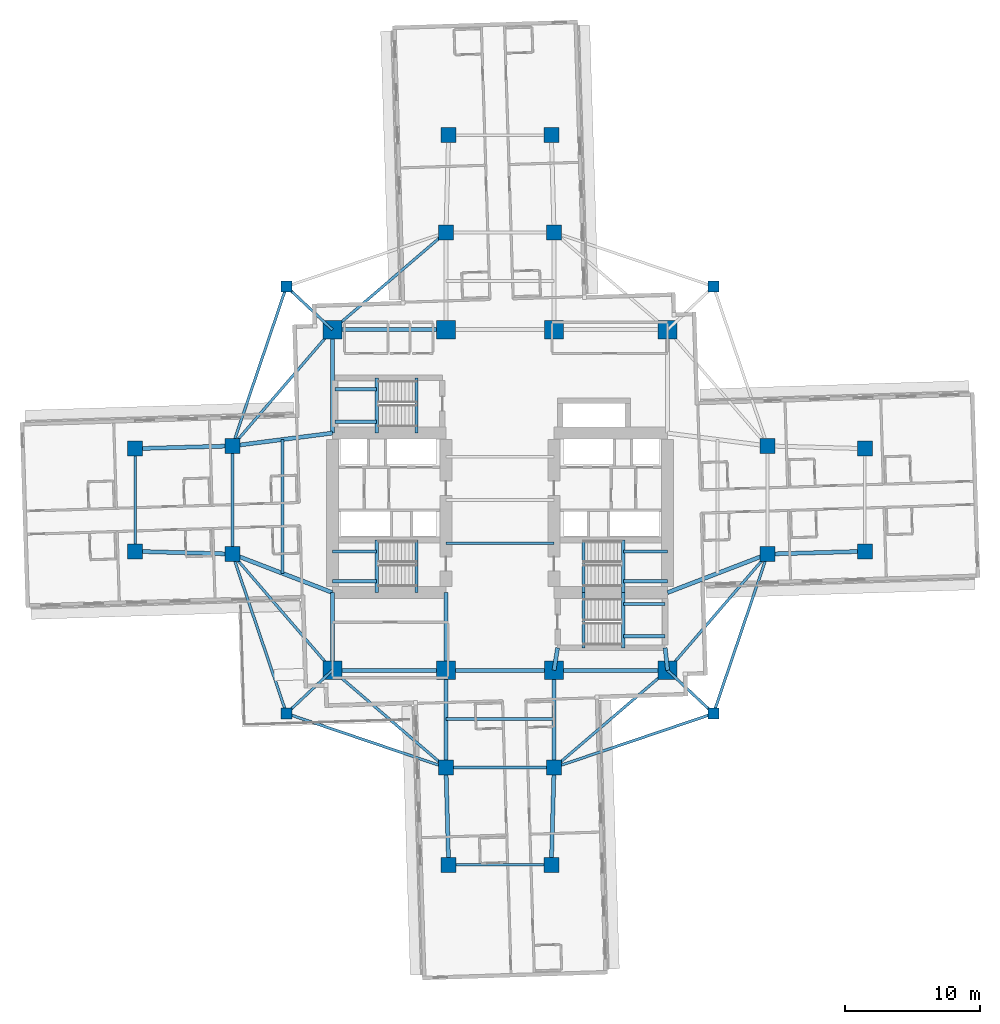
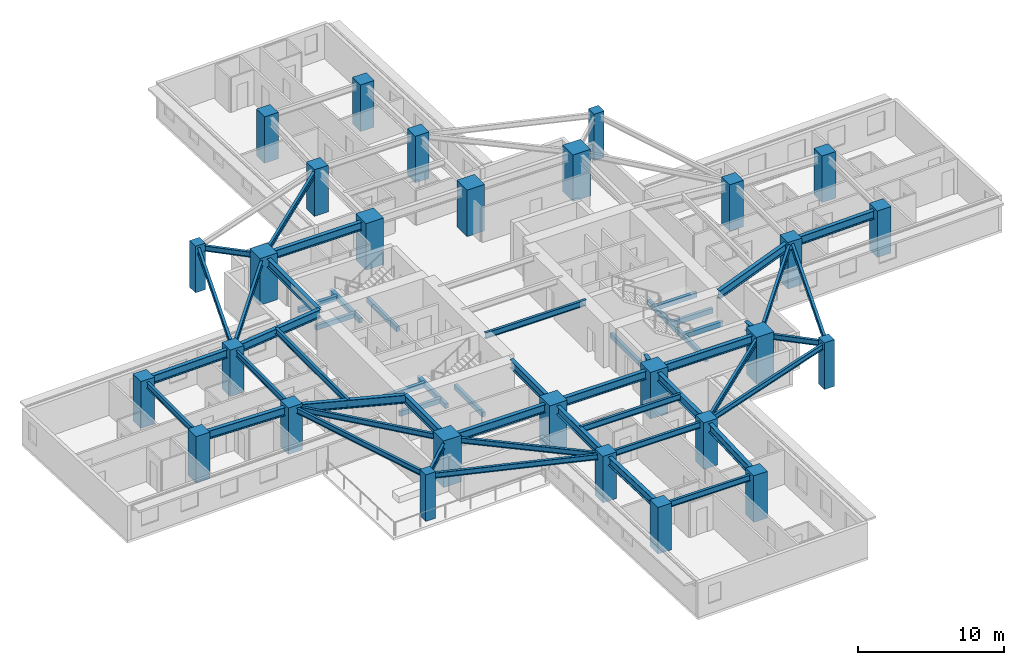
# One storey, part 1 of 14: 56 beams, 28 columns.
"""IFC4 building model written with IfcOpenShell, lengths in metres."""

from ifc_helpers import new_model, si_unit, direction, frame, origin, origin_2d, place, context, subcontext, project, spatial, rectangle, i_section, extrude, material, material_profile, profile_set, type_object, element, save


model = new_model("IFC4")

# Units and contexts
model_context = context("Model", 3, precision=1e-05, world=origin(), true_north=direction((0.0, 1.0)))
body_context = subcontext(model_context, "Body", "Model", "MODEL_VIEW")
ifc_project = project(units=[si_unit("LENGTHUNIT", "METRE"), si_unit("AREAUNIT", "SQUARE_METRE"), si_unit("VOLUMEUNIT", "CUBIC_METRE"), si_unit("PLANEANGLEUNIT", "RADIAN"), si_unit("MASSUNIT", "GRAM", prefix="KILO")], contexts=[model_context])

# Site, building, storey
site_placement = place(None, origin())
site = spatial("IfcSite", under=ifc_project, at=site_placement, CompositionType="ELEMENT")
building_placement = place(site_placement, origin())
building = spatial("IfcBuilding", under=site, at=building_placement, Name="Qingluan Cross Belvedere", CompositionType="ELEMENT")
storey_placement = place(building_placement, frame((0.0, 0.0, 56.10009765625)))
storey = spatial("IfcBuildingStorey", under=building, at=storey_placement, Name="L14", CompositionType="ELEMENT", Elevation=56.10009765625)

# Columns
ifc_material_1 = material(Name="Concrete C60", Category="concrete")
ifc_material_profile_1 = material_profile(ifc_material_1, rectangle(XDim=1.10009765625, YDim=1.10009765625, at=origin_2d()), Name="RC1100x1100")
ifc_profile_set_1 = profile_set([ifc_material_profile_1], Name="Concrete C60")
column_type_1 = type_object("IfcColumnType", Name="Column_RC1100x1100", PredefinedType="COLUMN", material=ifc_profile_set_1)
for number, where, z_axis, x_axis, name in (
    (1, (19.800048828125, -4.0, 0.0), (0.0, 0.0, 1.0), (1.0, 0.0, 0.0), "Arm column L14-EIA"),
    (2, (19.800048828125, 4.0, 0.0), (0.0, 0.0, 1.0), (1.0, 0.0, 0.0), "Arm column L14-EIB"),
    (3, (-19.800048828125, -4.0, 0.0), (0.0, 0.0, 1.0), (1.0, 0.0, 0.0), "Arm column L14-WIA"),
    (4, (-19.800048828125, 4.0, 0.0), (0.0, 0.0, 1.0), (1.0, 0.0, 0.0), "Arm column L14-WIB"),
    (5, (-4.0, -19.800048828125, 0.0), (0.0, 0.0, 1.0), (1.0, 0.0, 0.0), "Arm column L14-SIA"),
    (6, (4.0, -19.800048828125, 0.0), (0.0, 0.0, 1.0), (1.0, 0.0, 0.0), "Arm column L14-SIB"),
    (7, (-4.0, 19.800048828125, 0.0), (0.0, 0.0, 1.0), (1.0, 0.0, 0.0), "Arm column L14-NIA"),
    (8, (4.0, 19.800048828125, 0.0), (0.0, 0.0, 1.0), (1.0, 0.0, 0.0), "Arm column L14-NIB"),
    (9, (27.0, -3.800048828125, 0.0), (0.0, 0.0, 1.0), (1.0, 0.0, 0.0), "Arm column L14-EOA"),
    (10, (27.0, 3.800048828125, 0.0), (0.0, 0.0, 1.0), (1.0, 0.0, 0.0), "Arm column L14-EOB"),
    (11, (-27.0, -3.800048828125, 0.0), (0.0, 0.0, 1.0), (1.0, 0.0, 0.0), "Arm column L14-WOA"),
    (12, (-27.0, 3.800048828125, 0.0), (0.0, 0.0, 1.0), (1.0, 0.0, 0.0), "Arm column L14-WOB"),
    (13, (-3.800048828125, -27.0, 0.0), (0.0, 0.0, 1.0), (1.0, 0.0, 0.0), "Arm column L14-SOA"),
    (14, (3.800048828125, -27.0, 0.0), (0.0, 0.0, 1.0), (1.0, 0.0, 0.0), "Arm column L14-SOB"),
    (15, (-3.800048828125, 27.0, 0.0), (0.0, 0.0, 1.0), (1.0, 0.0, 0.0), "Arm column L14-NOA"),
    (16, (3.800048828125, 27.0, 0.0), (0.0, 0.0, 1.0), (1.0, 0.0, 0.0), "Arm column L14-NOB"),
):
    element("IfcColumn", number, at=place(storey_placement, frame(where, z_axis=z_axis, x_axis=x_axis)), inside=storey, type_object=column_type_1, Name=name, PredefinedType="COLUMN", context=body_context, shape_type="SweptSolid", body=[
        extrude(rectangle(XDim=1.10009765625, YDim=1.10009765625, at=origin_2d()), origin(), (0.0, 0.0, 1.0), 3.89990234375),
    ])
ifc_material_2 = material(Name="Concrete C70", Category="concrete")
ifc_material_profile_2 = material_profile(ifc_material_2, rectangle(XDim=1.39990234375, YDim=1.39990234375, at=origin_2d()), Name="RC1400x1400")
ifc_profile_set_2 = profile_set([ifc_material_profile_2], Name="Concrete C70")
column_type_2 = type_object("IfcColumnType", Name="Column_RC1400x1400", PredefinedType="COLUMN", material=ifc_profile_set_2)
for number, where, z_axis, x_axis, name in (
    (17, (-12.39990234375, -12.60009765625, 0.0), (0.0, 0.0, 1.0), (1.0, 0.0, 0.0), "Hub column L14-HC1"),
    (18, (12.39990234375, -12.60009765625, 0.0), (0.0, 0.0, 1.0), (1.0, 0.0, 0.0), "Hub column L14-HC2"),
    (19, (12.39990234375, 12.60009765625, 0.0), (0.0, 0.0, 1.0), (1.0, 0.0, 0.0), "Hub column L14-HC3"),
    (20, (-12.39990234375, 12.60009765625, 0.0), (0.0, 0.0, 1.0), (1.0, 0.0, 0.0), "Hub column L14-HC4"),
    (21, (-4.0, -12.60009765625, 0.0), (0.0, 0.0, 1.0), (1.0, 0.0, 0.0), "Hub column L14-HC5"),
    (22, (4.0, -12.60009765625, 0.0), (0.0, 0.0, 1.0), (1.0, 0.0, 0.0), "Hub column L14-HC6"),
    (23, (4.0, 12.60009765625, 0.0), (0.0, 0.0, 1.0), (1.0, 0.0, 0.0), "Hub column L14-HC7"),
    (24, (-4.0, 12.60009765625, 0.0), (0.0, 0.0, 1.0), (1.0, 0.0, 0.0), "Hub column L14-HC8"),
):
    element("IfcColumn", number, at=place(storey_placement, frame(where, z_axis=z_axis, x_axis=x_axis)), inside=storey, type_object=column_type_2, Name=name, PredefinedType="COLUMN", context=body_context, shape_type="SweptSolid", body=[
        extrude(rectangle(XDim=1.39990234375, YDim=1.39990234375, at=origin_2d()), origin(), (0.0, 0.0, 1.0), 3.89990234375),
    ])
ifc_material_3 = material(Name="Concrete C50", Category="concrete")
ifc_material_profile_3 = material_profile(ifc_material_3, rectangle(XDim=0.800048828125, YDim=0.800048828125, at=origin_2d()), Name="RC800x800")
ifc_profile_set_3 = profile_set([ifc_material_profile_3], Name="Concrete C50")
column_type_3 = type_object("IfcColumnType", Name="Column_RC800x800", PredefinedType="COLUMN", material=ifc_profile_set_3)
for number, where, z_axis, x_axis, name in (
    (25, (15.800048828125, 15.800048828125, 0.0), (0.0, 0.0, 1.0), (1.0, 0.0, 0.0), "Corner column L14-RNE"),
    (26, (-15.800048828125, 15.800048828125, 0.0), (0.0, 0.0, 1.0), (1.0, 0.0, 0.0), "Corner column L14-RNW"),
    (27, (-15.800048828125, -15.800048828125, 0.0), (0.0, 0.0, 1.0), (1.0, 0.0, 0.0), "Corner column L14-RSW"),
    (28, (15.800048828125, -15.800048828125, 0.0), (0.0, 0.0, 1.0), (1.0, 0.0, 0.0), "Corner column L14-RSE"),
):
    element("IfcColumn", number, at=place(storey_placement, frame(where, z_axis=z_axis, x_axis=x_axis)), inside=storey, type_object=column_type_3, Name=name, PredefinedType="COLUMN", context=body_context, shape_type="SweptSolid", body=[
        extrude(rectangle(XDim=0.800048828125, YDim=0.800048828125, at=origin_2d()), origin(), (0.0, 0.0, 1.0), 3.89990234375),
    ])

# Beams
ifc_material_4 = material(Name="Concrete C45", Category="concrete")
ifc_material_profile_4 = material_profile(ifc_material_4, rectangle(XDim=0.25, YDim=0.39990234375, at=origin_2d()), Name="RC250x400")
ifc_profile_set_4 = profile_set([ifc_material_profile_4], Name="Concrete C45")
beam_type_1 = type_object("IfcBeamType", Name="RC_Lintel_RC250x400", PredefinedType="LINTEL", material=ifc_profile_set_4)
for number, where, z_axis, x_axis, name in (
    (29, (-6.179931640625, -6.85009765625, -0.2001953125), (0.0, 1.0, 0.0), (-1.0, 0.0, 0.0), "Stair ST1 landing beam L14"),
    (30, (6.179931640625, -6.85009765625, -0.2001953125), (0.0, 1.0, 0.0), (-1.0, 0.0, 0.0), "Stair ST2 landing beam L14"),
):
    element("IfcBeam", number, at=place(storey_placement, frame(where, z_axis=z_axis, x_axis=x_axis)), inside=storey, type_object=beam_type_1, Name=name, PredefinedType="LINTEL", context=body_context, shape_type="SweptSolid", body=[
        extrude(rectangle(XDim=0.25, YDim=0.39990234375, at=origin_2d()), origin(), (0.0, 0.0, 1.0), 3.89013671875),
    ])
beam_1_placement = place(storey_placement, frame((-6.179931640625, 4.949951171875, -0.2001953125), z_axis=(0.0, 1.0, 0.0), x_axis=(-1.0, 0.0, 0.0)))
element("IfcBeam", 31, at=beam_1_placement, inside=storey, type_object=beam_type_1, Name="Stair ST3 landing beam L14", PredefinedType="LINTEL", context=body_context, shape_type="SweptSolid", body=[
    extrude(rectangle(XDim=0.25, YDim=0.39990234375, at=origin_2d()), origin(), (0.0, 0.0, 1.0), 4.090087890625),
])
beam_2_placement = place(storey_placement, frame((6.179931640625, -10.93994140625, -0.2001953125), z_axis=(0.0, 1.0, 0.0), x_axis=(-1.0, 0.0, 0.0)))
element("IfcBeam", 32, at=beam_2_placement, inside=storey, type_object=beam_type_1, Name="Stair ST4 landing beam L14", PredefinedType="LINTEL", context=body_context, shape_type="SweptSolid", body=[
    extrude(rectangle(XDim=0.25, YDim=0.39990234375, at=origin_2d()), origin(), (0.0, 0.0, 1.0), 4.08984375),
])
beam_3_placement = place(storey_placement, frame((-9.1298828125, -6.85009765625, 1.5498046875), z_axis=(0.0, 1.0, 0.0), x_axis=(-1.0, 0.0, 0.0)))
element("IfcBeam", 33, at=beam_3_placement, inside=storey, type_object=beam_type_1, Name="Stair ST1 beam A L14", PredefinedType="LINTEL", context=body_context, shape_type="SweptSolid", body=[
    extrude(rectangle(XDim=0.25, YDim=0.39990234375, at=origin_2d()), origin(), (0.0, 0.0, 1.0), 3.89013671875),
])
for number, where, z_axis, x_axis, name in (
    (34, (-12.39990234375, -6.0, 1.5498046875), (1.0, 0.0, 0.0), (0.0, 1.0, 0.0), "Stair ST1 beam B L14"),
    (35, (-12.39990234375, -3.81005859375, 1.5498046875), (1.0, 0.0, 0.0), (0.0, 1.0, 0.0), "Stair ST1 beam C L14"),
):
    element("IfcBeam", number, at=place(storey_placement, frame(where, z_axis=z_axis, x_axis=x_axis)), inside=storey, type_object=beam_type_1, Name=name, PredefinedType="LINTEL", context=body_context, shape_type="SweptSolid", body=[
        extrude(rectangle(XDim=0.25, YDim=0.39990234375, at=origin_2d()), origin(), (0.0, 0.0, 1.0), 3.27001953125),
    ])
beam_4_placement = place(storey_placement, frame((9.1298828125, -6.85009765625, 1.5498046875), z_axis=(0.0, 1.0, 0.0), x_axis=(-1.0, 0.0, 0.0)))
element("IfcBeam", 36, at=beam_4_placement, inside=storey, type_object=beam_type_1, Name="Stair ST2 beam A L14", PredefinedType="LINTEL", context=body_context, shape_type="SweptSolid", body=[
    extrude(rectangle(XDim=0.25, YDim=0.39990234375, at=origin_2d()), origin(), (0.0, 0.0, 1.0), 3.89013671875),
])
for number, where, z_axis, x_axis, name in (
    (37, (12.39990234375, -6.0, 1.5498046875), (-1.0, 0.0, 0.0), (0.0, -1.0, 0.0), "Stair ST2 beam B L14"),
    (38, (12.39990234375, -3.81005859375, 1.5498046875), (-1.0, 0.0, 0.0), (0.0, -1.0, 0.0), "Stair ST2 beam C L14"),
):
    element("IfcBeam", number, at=place(storey_placement, frame(where, z_axis=z_axis, x_axis=x_axis)), inside=storey, type_object=beam_type_1, Name=name, PredefinedType="LINTEL", context=body_context, shape_type="SweptSolid", body=[
        extrude(rectangle(XDim=0.25, YDim=0.39990234375, at=origin_2d()), origin(), (0.0, 0.0, 1.0), 3.27001953125),
    ])
beam_5_placement = place(storey_placement, frame((-9.1298828125, 4.949951171875, 1.5498046875), z_axis=(0.0, 1.0, 0.0), x_axis=(-1.0, 0.0, 0.0)))
element("IfcBeam", 39, at=beam_5_placement, inside=storey, type_object=beam_type_1, Name="Stair ST3 beam A L14", PredefinedType="LINTEL", context=body_context, shape_type="SweptSolid", body=[
    extrude(rectangle(XDim=0.25, YDim=0.39990234375, at=origin_2d()), origin(), (0.0, 0.0, 1.0), 4.090087890625),
])
for number, where, z_axis, x_axis, name in (
    (40, (-12.219970703125, 5.800048828125, 1.5498046875), (1.0, 0.0, 0.0), (0.0, 1.0, 0.0), "Stair ST3 beam B L14"),
    (41, (-12.219970703125, 8.18994140625, 1.5498046875), (1.0, 0.0, 0.0), (0.0, 1.0, 0.0), "Stair ST3 beam C L14"),
):
    element("IfcBeam", number, at=place(storey_placement, frame(where, z_axis=z_axis, x_axis=x_axis)), inside=storey, type_object=beam_type_1, Name=name, PredefinedType="LINTEL", context=body_context, shape_type="SweptSolid", body=[
        extrude(rectangle(XDim=0.25, YDim=0.39990234375, at=origin_2d()), origin(), (0.0, 0.0, 1.0), 3.090087890625),
    ])
beam_6_placement = place(storey_placement, frame((9.1298828125, -10.93994140625, 1.5498046875), z_axis=(0.0, 1.0, 0.0), x_axis=(-1.0, 0.0, 0.0)))
element("IfcBeam", 42, at=beam_6_placement, inside=storey, type_object=beam_type_1, Name="Stair ST4 beam A L14", PredefinedType="LINTEL", context=body_context, shape_type="SweptSolid", body=[
    extrude(rectangle(XDim=0.25, YDim=0.39990234375, at=origin_2d()), origin(), (0.0, 0.0, 1.0), 4.08984375),
])
for number, where, z_axis, x_axis, name in (
    (43, (12.219970703125, -10.090087890625, 1.5498046875), (-1.0, 0.0, 0.0), (0.0, -1.0, 0.0), "Stair ST4 beam B L14"),
    (44, (12.219970703125, -7.699951171875, 1.5498046875), (-1.0, 0.0, 0.0), (0.0, -1.0, 0.0), "Stair ST4 beam C L14"),
):
    element("IfcBeam", number, at=place(storey_placement, frame(where, z_axis=z_axis, x_axis=x_axis)), inside=storey, type_object=beam_type_1, Name=name, PredefinedType="LINTEL", context=body_context, shape_type="SweptSolid", body=[
        extrude(rectangle(XDim=0.25, YDim=0.39990234375, at=origin_2d()), origin(), (0.0, 0.0, 1.0), 3.090087890625),
    ])
ifc_material_5 = material(Name="Steel Q420GJB", Category="steel")
ifc_material_profile_5 = material_profile(ifc_material_5, i_section(OverallWidth=0.199951171875, OverallDepth=0.449951171875, WebThickness=0.009033203125, FlangeThickness=0.013916015625, FilletRadius=0.01611328125, at=origin_2d()), Name="HN450x200x9x14")
ifc_profile_set_5 = profile_set([ifc_material_profile_5], Name="Steel Q420GJB")
beam_type_2 = type_object("IfcBeamType", Name="Steel_Beam_HN450x200x9x14", PredefinedType="JOIST", material=ifc_profile_set_5)
beam_7_placement = place(storey_placement, frame((-12.39990234375, 12.60009765625, 3.474853515625), z_axis=(-0.728219948308, 0.685343495546, 0.0), x_axis=(-0.685343495546, -0.728219948308, 0.0)))
element("IfcBeam", 45, at=beam_7_placement, inside=storey, type_object=beam_type_2, Name="Corner beam 1 L14-RNW", PredefinedType="JOIST", context=body_context, shape_type="SweptSolid", body=[
    extrude(i_section(OverallWidth=0.199951171875, OverallDepth=0.449951171875, WebThickness=0.009033203125, FlangeThickness=0.013916015625, FilletRadius=0.01611328125, at=origin_2d()), origin(), (0.0, 0.0, 1.0), 4.669189453125),
])
beam_8_placement = place(storey_placement, frame((-15.800048828125, 15.800048828125, 3.474853515625), z_axis=(-0.321038089628, -0.947066283324, 0.0), x_axis=(0.947066283324, -0.321038089628, 0.0)))
element("IfcBeam", 46, at=beam_8_placement, inside=storey, type_object=beam_type_2, Name="Corner beam 3 L14-RNW", PredefinedType="JOIST", context=body_context, shape_type="SweptSolid", body=[
    extrude(i_section(OverallWidth=0.199951171875, OverallDepth=0.449951171875, WebThickness=0.009033203125, FlangeThickness=0.013916015625, FilletRadius=0.01611328125, at=origin_2d()), origin(), (0.0, 0.0, 1.0), 12.45947265625),
])
beam_9_placement = place(storey_placement, frame((-12.39990234375, 12.60009765625, 3.474853515625), z_axis=(-0.652245077546, -0.75800815221, 0.0), x_axis=(0.75800815221, -0.652245077546, 0.0)))
element("IfcBeam", 47, at=beam_9_placement, inside=storey, type_object=beam_type_2, Name="Corner beam 4 L14-RNW", PredefinedType="JOIST", context=body_context, shape_type="SweptSolid", body=[
    extrude(i_section(OverallWidth=0.199951171875, OverallDepth=0.449951171875, WebThickness=0.009033203125, FlangeThickness=0.013916015625, FilletRadius=0.01611328125, at=origin_2d()), origin(), (0.0, 0.0, 1.0), 11.345703125),
])
beam_10_placement = place(storey_placement, frame((-12.39990234375, 12.60009765625, 3.474853515625), z_axis=(0.759255044656, 0.650793190779, 0.0), x_axis=(-0.650793190779, 0.759255044656, 0.0)))
element("IfcBeam", 48, at=beam_10_placement, inside=storey, type_object=beam_type_2, Name="Corner beam 5 L14-RNW", PredefinedType="JOIST", context=body_context, shape_type="SweptSolid", body=[
    extrude(i_section(OverallWidth=0.199951171875, OverallDepth=0.449951171875, WebThickness=0.009033203125, FlangeThickness=0.013916015625, FilletRadius=0.01611328125, at=origin_2d()), origin(), (0.0, 0.0, 1.0), 11.063232421875),
])
beam_11_placement = place(storey_placement, frame((-12.39990234375, -12.60009765625, 3.454833984375), z_axis=(-0.728219948308, -0.685343495546, 0.0), x_axis=(0.685343495546, -0.728219948308, 0.0)))
element("IfcBeam", 49, at=beam_11_placement, inside=storey, type_object=beam_type_2, Name="Corner beam 1 L14-RSW", PredefinedType="JOIST", context=body_context, shape_type="SweptSolid", body=[
    extrude(i_section(OverallWidth=0.199951171875, OverallDepth=0.449951171875, WebThickness=0.009033203125, FlangeThickness=0.013916015625, FilletRadius=0.01611328125, at=origin_2d()), origin(), (0.0, 0.0, 1.0), 4.669189453125),
])
for number, where, z_axis, x_axis, name in (
    (50, (-15.800048828125, -15.800048828125, 3.454833984375), (0.947066283324, -0.321038089628, 0.0), (0.321038089628, 0.947066283324, 0.0), "Corner beam 2 L14-RSW"),
    (51, (-15.800048828125, -15.800048828125, 3.454833984375), (-0.321038089628, 0.947066283324, 0.0), (-0.947066283324, -0.321038089628, 0.0), "Corner beam 3 L14-RSW"),
):
    element("IfcBeam", number, at=place(storey_placement, frame(where, z_axis=z_axis, x_axis=x_axis)), inside=storey, type_object=beam_type_2, Name=name, PredefinedType="JOIST", context=body_context, shape_type="SweptSolid", body=[
        extrude(i_section(OverallWidth=0.199951171875, OverallDepth=0.449951171875, WebThickness=0.009033203125, FlangeThickness=0.013916015625, FilletRadius=0.01611328125, at=origin_2d()), origin(), (0.0, 0.0, 1.0), 12.45947265625),
    ])
beam_12_placement = place(storey_placement, frame((-12.39990234375, -12.60009765625, 3.454833984375), z_axis=(-0.652245077546, 0.75800815221, 0.0), x_axis=(-0.75800815221, -0.652245077546, 0.0)))
element("IfcBeam", 52, at=beam_12_placement, inside=storey, type_object=beam_type_2, Name="Corner beam 4 L14-RSW", PredefinedType="JOIST", context=body_context, shape_type="SweptSolid", body=[
    extrude(i_section(OverallWidth=0.199951171875, OverallDepth=0.449951171875, WebThickness=0.009033203125, FlangeThickness=0.013916015625, FilletRadius=0.01611328125, at=origin_2d()), origin(), (0.0, 0.0, 1.0), 11.345703125),
])
beam_13_placement = place(storey_placement, frame((-12.39990234375, -12.60009765625, 3.454833984375), z_axis=(0.759255044656, -0.650793190779, 0.0), x_axis=(0.650793190779, 0.759255044656, 0.0)))
element("IfcBeam", 53, at=beam_13_placement, inside=storey, type_object=beam_type_2, Name="Corner beam 5 L14-RSW", PredefinedType="JOIST", context=body_context, shape_type="SweptSolid", body=[
    extrude(i_section(OverallWidth=0.199951171875, OverallDepth=0.449951171875, WebThickness=0.009033203125, FlangeThickness=0.013916015625, FilletRadius=0.01611328125, at=origin_2d()), origin(), (0.0, 0.0, 1.0), 11.063232421875),
])
beam_14_placement = place(storey_placement, frame((12.39990234375, -12.60009765625, 3.474853515625), z_axis=(0.728219948308, -0.685343495546, 0.0), x_axis=(0.685343495546, 0.728219948308, 0.0)))
element("IfcBeam", 54, at=beam_14_placement, inside=storey, type_object=beam_type_2, Name="Corner beam 1 L14-RSE", PredefinedType="JOIST", context=body_context, shape_type="SweptSolid", body=[
    extrude(i_section(OverallWidth=0.199951171875, OverallDepth=0.449951171875, WebThickness=0.009033203125, FlangeThickness=0.013916015625, FilletRadius=0.01611328125, at=origin_2d()), origin(), (0.0, 0.0, 1.0), 4.669189453125),
])
for number, where, z_axis, x_axis, name in (
    (55, (15.800048828125, -15.800048828125, 3.474853515625), (-0.947066283324, -0.321038089628, 0.0), (0.321038089628, -0.947066283324, 0.0), "Corner beam 2 L14-RSE"),
    (56, (15.800048828125, -15.800048828125, 3.474853515625), (0.321038089628, 0.947066283324, 0.0), (-0.947066283324, 0.321038089628, 0.0), "Corner beam 3 L14-RSE"),
):
    element("IfcBeam", number, at=place(storey_placement, frame(where, z_axis=z_axis, x_axis=x_axis)), inside=storey, type_object=beam_type_2, Name=name, PredefinedType="JOIST", context=body_context, shape_type="SweptSolid", body=[
        extrude(i_section(OverallWidth=0.199951171875, OverallDepth=0.449951171875, WebThickness=0.009033203125, FlangeThickness=0.013916015625, FilletRadius=0.01611328125, at=origin_2d()), origin(), (0.0, 0.0, 1.0), 12.45947265625),
    ])
beam_15_placement = place(storey_placement, frame((12.39990234375, -12.60009765625, 3.474853515625), z_axis=(0.652245077546, 0.75800815221, 0.0), x_axis=(-0.75800815221, 0.652245077546, 0.0)))
element("IfcBeam", 57, at=beam_15_placement, inside=storey, type_object=beam_type_2, Name="Corner beam 4 L14-RSE", PredefinedType="JOIST", context=body_context, shape_type="SweptSolid", body=[
    extrude(i_section(OverallWidth=0.199951171875, OverallDepth=0.449951171875, WebThickness=0.009033203125, FlangeThickness=0.013916015625, FilletRadius=0.01611328125, at=origin_2d()), origin(), (0.0, 0.0, 1.0), 11.345703125),
])
beam_16_placement = place(storey_placement, frame((12.39990234375, -12.60009765625, 3.474853515625), z_axis=(-0.759255044656, -0.650793190779, 0.0), x_axis=(0.650793190779, -0.759255044656, 0.0)))
element("IfcBeam", 58, at=beam_16_placement, inside=storey, type_object=beam_type_2, Name="Corner beam 5 L14-RSE", PredefinedType="JOIST", context=body_context, shape_type="SweptSolid", body=[
    extrude(i_section(OverallWidth=0.199951171875, OverallDepth=0.449951171875, WebThickness=0.009033203125, FlangeThickness=0.013916015625, FilletRadius=0.01611328125, at=origin_2d()), origin(), (0.0, 0.0, 1.0), 11.063232421875),
])
ifc_material_6 = material(Name="Steel Q420GJB", Category="steel")
ifc_material_profile_6 = material_profile(ifc_material_6, i_section(OverallWidth=0.199951171875, OverallDepth=0.5, WebThickness=0.010009765625, FlangeThickness=0.01611328125, FilletRadius=0.01611328125, at=origin_2d()), Name="HN500x200x10x16")
ifc_profile_set_6 = profile_set([ifc_material_profile_6], Name="Steel Q420GJB")
beam_type_3 = type_object("IfcBeamType", Name="Steel_Beam_HN500x200x10x16", PredefinedType="JOIST", material=ifc_profile_set_6)
for number, where, z_axis, x_axis, name in (
    (59, (-4.0, -3.199951171875, 3.449951171875), (1.0, 0.0, 0.0), (0.0, 1.0, 0.0), "Hall beam L14-CH1"),
    (60, (-19.800048828125, -4.0, 3.449951171875), (0.0, 1.0, 0.0), (-1.0, 0.0, 0.0), "Arm W tie L14"),
):
    element("IfcBeam", number, at=place(storey_placement, frame(where, z_axis=z_axis, x_axis=x_axis)), inside=storey, type_object=beam_type_3, Name=name, PredefinedType="JOIST", context=body_context, shape_type="SweptSolid", body=[
        extrude(i_section(OverallWidth=0.199951171875, OverallDepth=0.5, WebThickness=0.010009765625, FlangeThickness=0.01611328125, FilletRadius=0.01611328125, at=origin_2d()), origin(), (0.0, 0.0, 1.0), 8.0),
    ])
beam_17_placement = place(storey_placement, frame((-16.10009765625, -5.425048828125, 3.449951171875), z_axis=(0.0, 1.0, 0.0), x_axis=(-1.0, 0.0, 0.0)))
element("IfcBeam", 61, at=beam_17_placement, inside=storey, type_object=beam_type_3, Name="Arm W beam L14", PredefinedType="JOIST", context=body_context, shape_type="SweptSolid", body=[
    extrude(i_section(OverallWidth=0.199951171875, OverallDepth=0.5, WebThickness=0.010009765625, FlangeThickness=0.01611328125, FilletRadius=0.01611328125, at=origin_2d()), origin(), (0.0, 0.0, 1.0), 9.900146484375),
])
beam_18_placement = place(storey_placement, frame((-27.0, -3.800048828125, 3.449951171875), z_axis=(0.0, 1.0, 0.0), x_axis=(-1.0, 0.0, 0.0)))
element("IfcBeam", 62, at=beam_18_placement, inside=storey, type_object=beam_type_3, Name="Arm W tip transverse beam L14", PredefinedType="JOIST", context=body_context, shape_type="SweptSolid", body=[
    extrude(i_section(OverallWidth=0.199951171875, OverallDepth=0.5, WebThickness=0.010009765625, FlangeThickness=0.01611328125, FilletRadius=0.01611328125, at=origin_2d()), origin(), (0.0, 0.0, 1.0), 7.60009765625),
])
for number, where, z_axis, x_axis, name in (
    (63, (-4.0, -19.800048828125, 3.449951171875), (1.0, 0.0, 0.0), (0.0, 1.0, 0.0), "Arm S tie L14"),
    (64, (-4.0, -16.199951171875, 3.449951171875), (1.0, 0.0, 0.0), (0.0, 1.0, 0.0), "Arm S beam L14"),
):
    element("IfcBeam", number, at=place(storey_placement, frame(where, z_axis=z_axis, x_axis=x_axis)), inside=storey, type_object=beam_type_3, Name=name, PredefinedType="JOIST", context=body_context, shape_type="SweptSolid", body=[
        extrude(i_section(OverallWidth=0.199951171875, OverallDepth=0.5, WebThickness=0.010009765625, FlangeThickness=0.01611328125, FilletRadius=0.01611328125, at=origin_2d()), origin(), (0.0, 0.0, 1.0), 8.0),
    ])
beam_19_placement = place(storey_placement, frame((-3.800048828125, -27.0, 3.449951171875), z_axis=(1.0, 0.0, 0.0), x_axis=(0.0, 1.0, 0.0)))
element("IfcBeam", 65, at=beam_19_placement, inside=storey, type_object=beam_type_3, Name="Arm S tip transverse beam L14", PredefinedType="JOIST", context=body_context, shape_type="SweptSolid", body=[
    extrude(i_section(OverallWidth=0.199951171875, OverallDepth=0.5, WebThickness=0.010009765625, FlangeThickness=0.01611328125, FilletRadius=0.01611328125, at=origin_2d()), origin(), (0.0, 0.0, 1.0), 7.60009765625),
])
ifc_material_7 = material(Name="Steel Q420GJB", Category="steel")
ifc_material_profile_7 = material_profile(ifc_material_7, i_section(OverallWidth=0.300048828125, OverallDepth=0.699951171875, WebThickness=0.014892578125, FlangeThickness=0.027099609375, FilletRadius=0.027099609375, at=origin_2d()), Name="HEB700")
ifc_profile_set_7 = profile_set([ifc_material_profile_7], Name="Steel Q420GJB")
beam_type_4 = type_object("IfcBeamType", Name="Steel_Girder_HEB700", PredefinedType="USERDEFINED", material=ifc_profile_set_7)
beam_20_placement = place(storey_placement, frame((-12.39990234375, -12.60009765625, 3.349853515625), z_axis=(1.0, 0.0, 0.0), x_axis=(0.0, 1.0, 0.0)))
element("IfcBeam", 66, at=beam_20_placement, inside=storey, type_object=beam_type_4, Name="Hub girder L14-HG-S1", ObjectType="GIRDER", PredefinedType="USERDEFINED", context=body_context, shape_type="SweptSolid", body=[
    extrude(i_section(OverallWidth=0.300048828125, OverallDepth=0.699951171875, WebThickness=0.014892578125, FlangeThickness=0.027099609375, FilletRadius=0.027099609375, at=origin_2d()), origin(), (0.0, 0.0, 1.0), 8.39990234375),
])
beam_21_placement = place(storey_placement, frame((-4.0, -12.60009765625, 3.349853515625), z_axis=(1.0, 0.0, 0.0), x_axis=(0.0, 1.0, 0.0)))
element("IfcBeam", 67, at=beam_21_placement, inside=storey, type_object=beam_type_4, Name="Hub girder L14-HG-S2", ObjectType="GIRDER", PredefinedType="USERDEFINED", context=body_context, shape_type="SweptSolid", body=[
    extrude(i_section(OverallWidth=0.300048828125, OverallDepth=0.699951171875, WebThickness=0.014892578125, FlangeThickness=0.027099609375, FilletRadius=0.027099609375, at=origin_2d()), origin(), (0.0, 0.0, 1.0), 8.0),
])
for number, where, z_axis, x_axis, name in (
    (68, (4.0, -12.60009765625, 3.349853515625), (1.0, 0.0, 0.0), (0.0, 1.0, 0.0), "Hub girder L14-HG-S3"),
    (69, (-12.39990234375, 12.60009765625, 3.349853515625), (1.0, 0.0, 0.0), (0.0, 1.0, 0.0), "Hub girder L14-HG-N1"),
):
    element("IfcBeam", number, at=place(storey_placement, frame(where, z_axis=z_axis, x_axis=x_axis)), inside=storey, type_object=beam_type_4, Name=name, ObjectType="GIRDER", PredefinedType="USERDEFINED", context=body_context, shape_type="SweptSolid", body=[
        extrude(i_section(OverallWidth=0.300048828125, OverallDepth=0.699951171875, WebThickness=0.014892578125, FlangeThickness=0.027099609375, FilletRadius=0.027099609375, at=origin_2d()), origin(), (0.0, 0.0, 1.0), 8.39990234375),
    ])
beam_22_placement = place(storey_placement, frame((-12.39990234375, -12.60009765625, 3.349853515625), z_axis=(0.0, 1.0, 0.0), x_axis=(-1.0, 0.0, 0.0)))
element("IfcBeam", 70, at=beam_22_placement, inside=storey, type_object=beam_type_4, Name="Hub girder L14-HG-W1", ObjectType="GIRDER", PredefinedType="USERDEFINED", context=body_context, shape_type="SweptSolid", body=[
    extrude(i_section(OverallWidth=0.300048828125, OverallDepth=0.699951171875, WebThickness=0.014892578125, FlangeThickness=0.027099609375, FilletRadius=0.027099609375, at=origin_2d()), origin(), (0.0, 0.0, 1.0), 5.75),
])
beam_23_placement = place(storey_placement, frame((-12.39990234375, 4.949951171875, 3.349853515625), z_axis=(0.0, 1.0, 0.0), x_axis=(-1.0, 0.0, 0.0)))
element("IfcBeam", 71, at=beam_23_placement, inside=storey, type_object=beam_type_4, Name="Hub girder L14-HG-W2", ObjectType="GIRDER", PredefinedType="USERDEFINED", context=body_context, shape_type="SweptSolid", body=[
    extrude(i_section(OverallWidth=0.300048828125, OverallDepth=0.699951171875, WebThickness=0.014892578125, FlangeThickness=0.027099609375, FilletRadius=0.027099609375, at=origin_2d()), origin(), (0.0, 0.0, 1.0), 7.650146484375),
])
beam_24_placement = place(storey_placement, frame((12.39990234375, -12.60009765625, 3.349853515625), z_axis=(-0.107751337451, 0.994177876075, 0.0), x_axis=(-0.994177876075, -0.107751337451, 0.0)))
element("IfcBeam", 72, at=beam_24_placement, inside=storey, type_object=beam_type_4, Name="Hub girder L14-HG-E1", ObjectType="GIRDER", PredefinedType="USERDEFINED", context=body_context, shape_type="SweptSolid", body=[
    extrude(i_section(OverallWidth=0.300048828125, OverallDepth=0.699951171875, WebThickness=0.014892578125, FlangeThickness=0.027099609375, FilletRadius=0.027099609375, at=origin_2d()), origin(), (0.0, 0.0, 1.0), 1.669921875),
])
beam_25_placement = place(storey_placement, frame((-4.0, -12.60009765625, 3.349853515625), z_axis=(0.0, 1.0, 0.0), x_axis=(-1.0, 0.0, 0.0)))
element("IfcBeam", 73, at=beam_25_placement, inside=storey, type_object=beam_type_4, Name="Hub girder L14-HG-CW", ObjectType="GIRDER", PredefinedType="USERDEFINED", context=body_context, shape_type="SweptSolid", body=[
    extrude(i_section(OverallWidth=0.300048828125, OverallDepth=0.699951171875, WebThickness=0.014892578125, FlangeThickness=0.027099609375, FilletRadius=0.027099609375, at=origin_2d()), origin(), (0.0, 0.0, 1.0), 5.75),
])
beam_26_placement = place(storey_placement, frame((4.0, -12.60009765625, 3.349853515625), z_axis=(0.154731433337, 0.987956569662, 0.0), x_axis=(-0.987956569662, 0.154731433337, 0.0)))
element("IfcBeam", 74, at=beam_26_placement, inside=storey, type_object=beam_type_4, Name="Hub girder L14-HG-CE", ObjectType="GIRDER", PredefinedType="USERDEFINED", context=body_context, shape_type="SweptSolid", body=[
    extrude(i_section(OverallWidth=0.300048828125, OverallDepth=0.699951171875, WebThickness=0.014892578125, FlangeThickness=0.027099609375, FilletRadius=0.027099609375, at=origin_2d()), origin(), (0.0, 0.0, 1.0), 1.680419921875),
])
beam_27_placement = place(storey_placement, frame((12.39990234375, -6.85009765625, 3.349853515625), z_axis=(0.933181258889, 0.359406090735, 0.0), x_axis=(-0.359406090735, 0.933181258889, 0.0)))
element("IfcBeam", 75, at=beam_27_placement, inside=storey, type_object=beam_type_4, Name="Arm E radial girder A L14", ObjectType="GIRDER", PredefinedType="USERDEFINED", context=body_context, shape_type="SweptSolid", body=[
    extrude(i_section(OverallWidth=0.300048828125, OverallDepth=0.699951171875, WebThickness=0.014892578125, FlangeThickness=0.027099609375, FilletRadius=0.027099609375, at=origin_2d()), origin(), (0.0, 0.0, 1.0), 7.929931640625),
])
beam_28_placement = place(storey_placement, frame((19.800048828125, -4.0, 3.349853515625), z_axis=(0.999614603568, 0.027760481514, 0.0), x_axis=(-0.027760481514, 0.999614603568, 0.0)))
element("IfcBeam", 76, at=beam_28_placement, inside=storey, type_object=beam_type_4, Name="Arm E outer radial girder A L14", ObjectType="GIRDER", PredefinedType="USERDEFINED", context=body_context, shape_type="SweptSolid", body=[
    extrude(i_section(OverallWidth=0.300048828125, OverallDepth=0.699951171875, WebThickness=0.014892578125, FlangeThickness=0.027099609375, FilletRadius=0.027099609375, at=origin_2d()), origin(), (0.0, 0.0, 1.0), 7.20263671875),
])
beam_29_placement = place(storey_placement, frame((-12.39990234375, -6.85009765625, 3.349853515625), z_axis=(-0.933181258889, 0.359406090735, 0.0), x_axis=(-0.359406090735, -0.933181258889, 0.0)))
element("IfcBeam", 77, at=beam_29_placement, inside=storey, type_object=beam_type_4, Name="Arm W radial girder A L14", ObjectType="GIRDER", PredefinedType="USERDEFINED", context=body_context, shape_type="SweptSolid", body=[
    extrude(i_section(OverallWidth=0.300048828125, OverallDepth=0.699951171875, WebThickness=0.014892578125, FlangeThickness=0.027099609375, FilletRadius=0.027099609375, at=origin_2d()), origin(), (0.0, 0.0, 1.0), 7.929931640625),
])
beam_30_placement = place(storey_placement, frame((-12.39990234375, 4.949951171875, 3.349853515625), z_axis=(-0.991861120628, -0.12732445714, 0.0), x_axis=(0.12732445714, -0.991861120628, 0.0)))
element("IfcBeam", 78, at=beam_30_placement, inside=storey, type_object=beam_type_4, Name="Arm W radial girder B L14", ObjectType="GIRDER", PredefinedType="USERDEFINED", context=body_context, shape_type="SweptSolid", body=[
    extrude(i_section(OverallWidth=0.300048828125, OverallDepth=0.699951171875, WebThickness=0.014892578125, FlangeThickness=0.027099609375, FilletRadius=0.027099609375, at=origin_2d()), origin(), (0.0, 0.0, 1.0), 7.4609375),
])
for number, where, z_axis, x_axis, name in (
    (79, (-19.800048828125, -4.0, 3.349853515625), (-0.999614603568, 0.027760481514, 0.0), (-0.027760481514, -0.999614603568, 0.0), "Arm W outer radial girder A L14"),
    (80, (-19.800048828125, 4.0, 3.349853515625), (-0.999614603568, -0.027760481514, 0.0), (0.027760481514, -0.999614603568, 0.0), "Arm W outer radial girder B L14"),
):
    element("IfcBeam", number, at=place(storey_placement, frame(where, z_axis=z_axis, x_axis=x_axis)), inside=storey, type_object=beam_type_4, Name=name, ObjectType="GIRDER", PredefinedType="USERDEFINED", context=body_context, shape_type="SweptSolid", body=[
        extrude(i_section(OverallWidth=0.300048828125, OverallDepth=0.699951171875, WebThickness=0.014892578125, FlangeThickness=0.027099609375, FilletRadius=0.027099609375, at=origin_2d()), origin(), (0.0, 0.0, 1.0), 7.20263671875),
    ])
for number, where, z_axis, x_axis, name in (
    (81, (-4.0, -12.60009765625, 3.349853515625), (0.0, -1.0, 0.0), (1.0, 0.0, 0.0), "Arm S radial girder A L14"),
    (82, (4.0, -12.60009765625, 3.349853515625), (0.0, -1.0, 0.0), (1.0, 0.0, 0.0), "Arm S radial girder B L14"),
):
    element("IfcBeam", number, at=place(storey_placement, frame(where, z_axis=z_axis, x_axis=x_axis)), inside=storey, type_object=beam_type_4, Name=name, ObjectType="GIRDER", PredefinedType="USERDEFINED", context=body_context, shape_type="SweptSolid", body=[
        extrude(i_section(OverallWidth=0.300048828125, OverallDepth=0.699951171875, WebThickness=0.014892578125, FlangeThickness=0.027099609375, FilletRadius=0.027099609375, at=origin_2d()), origin(), (0.0, 0.0, 1.0), 7.199951171875),
    ])
for number, where, z_axis, x_axis, name in (
    (83, (-4.0, -19.800048828125, 3.349853515625), (0.027760481514, -0.999614603568, 0.0), (0.999614603568, 0.027760481514, 0.0), "Arm S outer radial girder A L14"),
    (84, (4.0, -19.800048828125, 3.349853515625), (-0.027760481514, -0.999614603568, 0.0), (0.999614603568, -0.027760481514, 0.0), "Arm S outer radial girder B L14"),
):
    element("IfcBeam", number, at=place(storey_placement, frame(where, z_axis=z_axis, x_axis=x_axis)), inside=storey, type_object=beam_type_4, Name=name, ObjectType="GIRDER", PredefinedType="USERDEFINED", context=body_context, shape_type="SweptSolid", body=[
        extrude(i_section(OverallWidth=0.300048828125, OverallDepth=0.699951171875, WebThickness=0.014892578125, FlangeThickness=0.027099609375, FilletRadius=0.027099609375, at=origin_2d()), origin(), (0.0, 0.0, 1.0), 7.20263671875),
    ])

save(model, "model.ifc")
